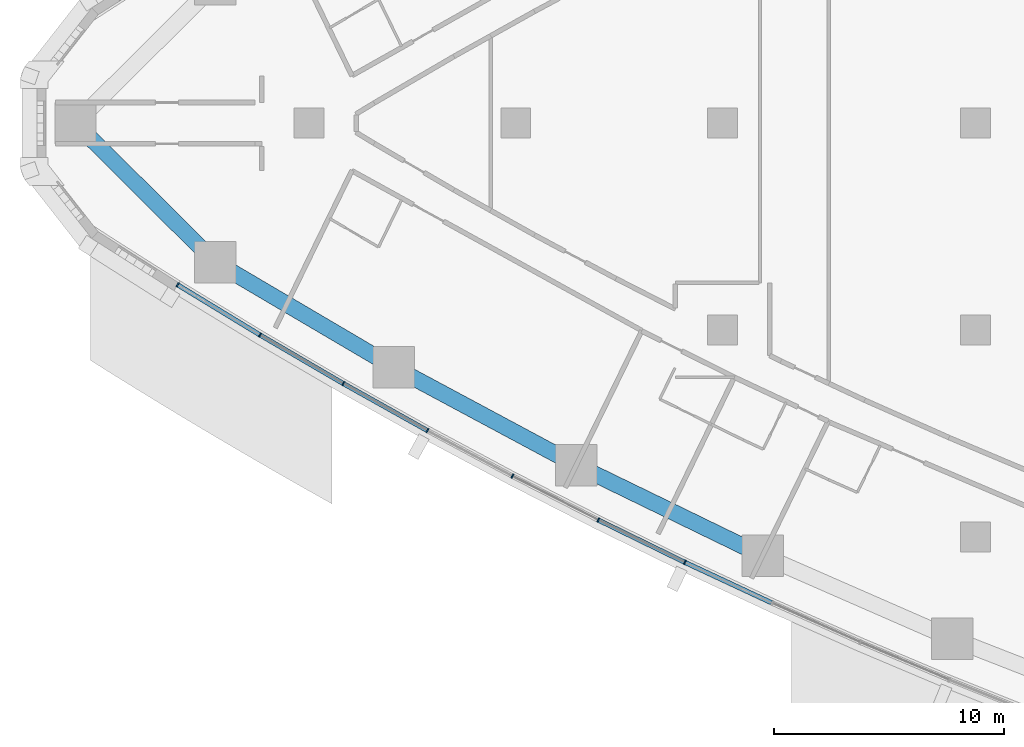
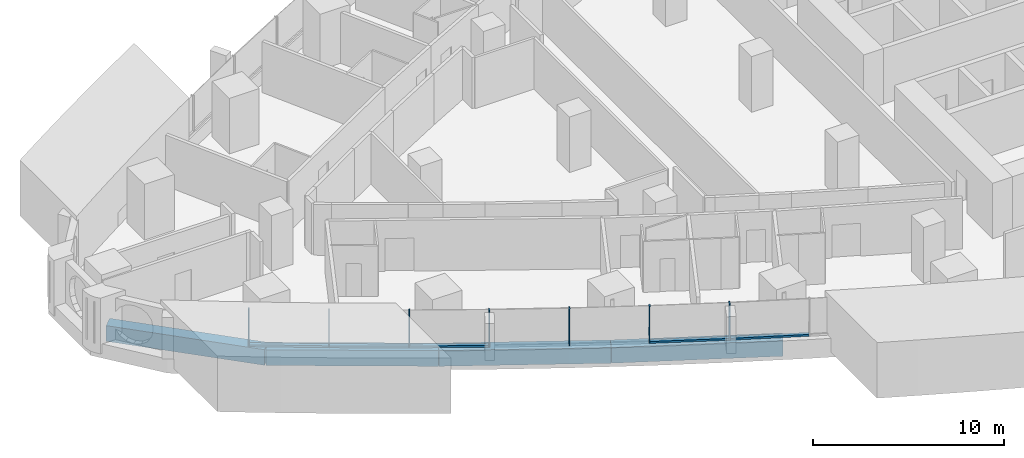
# One storey, part 2 of 19: 12 members, 4 beams, 3 elements without a shape of their own.
"""IFC4 building model written with IfcOpenShell, lengths in metres."""

from ifc_helpers import new_model, si_unit, direction, frame, origin, origin_2d, place, context, subcontext, project, spatial, rectangle, extrude, material, layer, layer_set, material_profile, profile_set, type_object, element, aggregate, save


model = new_model("IFC4")

# Units and contexts
model_context = context("Model", 3, precision=1e-05, world=origin(), true_north=direction((0.0, 1.0)))
body_context = subcontext(model_context, "Body", "Model", "MODEL_VIEW")
ifc_project = project(units=[si_unit("LENGTHUNIT", "METRE"), si_unit("AREAUNIT", "SQUARE_METRE"), si_unit("VOLUMEUNIT", "CUBIC_METRE"), si_unit("PLANEANGLEUNIT", "RADIAN"), si_unit("MASSUNIT", "GRAM", prefix="KILO")], contexts=[model_context])

# Site, building, storey
site_placement = place(None, origin())
site = spatial("IfcSite", under=ifc_project, at=site_placement, CompositionType="ELEMENT")
building_placement = place(site_placement, origin())
building = spatial("IfcBuilding", under=site, at=building_placement, Name="Ostrand Prow Hotel Tower", CompositionType="ELEMENT")
storey_placement = place(building_placement, frame((0.0, 0.0, 39.60009765625)))
storey = spatial("IfcBuildingStorey", under=building, at=storey_placement, Name="L07", CompositionType="ELEMENT", Elevation=39.60009765625)

# Beams
ifc_material_1 = material(Name="Concrete C80/95", Category="concrete")
ifc_material_profile_1 = material_profile(ifc_material_1, rectangle(XDim=0.699951171875, YDim=1.0, at=origin_2d()), Name="RC 700x1000")
ifc_profile_set_1 = profile_set([ifc_material_profile_1], Name="Concrete C80/95")
beam_type = type_object("IfcBeamType", Name="Edge beam 700x1000 C80/95", PredefinedType="SPANDREL", material=ifc_profile_set_1)
beam_1_placement = place(storey_placement, frame((5.848388671875, 0.0, -0.800048828125), z_axis=(0.709211674915, -0.70499560294, 0.0), x_axis=(0.70499560294, 0.709211674915, 0.0)))
element("IfcBeam", 1, at=beam_1_placement, inside=storey, type_object=beam_type, Name="Edge beam P-S1", PredefinedType="SPANDREL", context=body_context, shape_type="SweptSolid", body=[
    extrude(rectangle(XDim=0.699951171875, YDim=1.0, at=origin_2d()), origin(), (0.0, 0.0, 1.0), 8.5703125),
])
beam_2_placement = place(storey_placement, frame((11.926513671875, -6.0419921875, -0.800048828125), z_axis=(0.861725230108, -0.507375233722, 0.0), x_axis=(0.507375233722, 0.861725230108, 0.0)))
element("IfcBeam", 2, at=beam_2_placement, inside=storey, type_object=beam_type, Name="Edge beam S1-S2", PredefinedType="SPANDREL", context=body_context, shape_type="SweptSolid", body=[
    extrude(rectangle(XDim=0.699951171875, YDim=1.0, at=origin_2d()), origin(), (0.0, 0.0, 1.0), 9.012451171875),
])
beam_3_placement = place(storey_placement, frame((19.69287109375, -10.61474609375, -0.800048828125), z_axis=(0.881270074696, -0.472613008122, 0.0), x_axis=(0.472613008122, 0.881270074696, 0.0)))
element("IfcBeam", 3, at=beam_3_placement, inside=storey, type_object=beam_type, Name="Edge beam S2-S3", PredefinedType="SPANDREL", context=body_context, shape_type="SweptSolid", body=[
    extrude(rectangle(XDim=0.699951171875, YDim=1.0, at=origin_2d()), origin(), (0.0, 0.0, 1.0), 9.0126953125),
])
beam_4_placement = place(storey_placement, frame((27.635498046875, -14.874267578125, -0.800048828125), z_axis=(0.899382499202, -0.437162578601, 0.0), x_axis=(0.437162578601, 0.899382499202, 0.0)))
element("IfcBeam", 4, at=beam_4_placement, inside=storey, type_object=beam_type, Name="Edge beam S3-S4", PredefinedType="SPANDREL", context=body_context, shape_type="SweptSolid", body=[
    extrude(rectangle(XDim=0.699951171875, YDim=1.0, at=origin_2d()), origin(), (0.0, 0.0, 1.0), 9.012451171875),
])

# Curtain wall, members
ifc_material_2 = material(Name="Insulated glass in bronze anodised frame", Category="glass")
ifc_layer = layer(ifc_material_2, 0.199951171875)
ifc_layer_set = layer_set([ifc_layer], Name="Insulated glass in bronze anodised frame")
curtain_wall_type = type_object("IfcCurtainWallType", Name="Strip curtain wall, fritted glass over bronze spandrel", PredefinedType="NOTDEFINED", material=ifc_layer_set)
curtain_wall_1_placement = place(storey_placement, origin())
curtain_wall_1 = element("IfcCurtainWall", 5, at=curtain_wall_1_placement, inside=storey, type_object=curtain_wall_type, Name="CW1 run CWS1", PredefinedType="NOTDEFINED")
ifc_material_3 = material(Name="Bronze anodised aluminium", Category="aluminium")
ifc_material_profile_2 = material_profile(ifc_material_3, rectangle(XDim=0.199951171875, YDim=0.06005859375, at=origin_2d()), Name="Mullion 60x200 bronze anodised aluminium")
ifc_profile_set_2 = profile_set([ifc_material_profile_2], Name="Bronze anodised aluminium")
member_type_1 = type_object("IfcMemberType", Name="Mullion 60x200 bronze anodised aluminium", PredefinedType="MULLION", material=ifc_profile_set_2)
member_1_placement = place(storey_placement, frame((10.29443359375, -7.031494140625, 0.89990234375), z_axis=(0.0, 0.0, 1.0), x_axis=(0.519830761515, 0.854269266322, 0.0)))
member_1 = element("IfcMember", 6, at=member_1_placement, type_object=member_type_1, Name="CW1 mullion 1", PredefinedType="MULLION", context=body_context, shape_type="SweptSolid", body=[
    extrude(rectangle(XDim=0.199951171875, YDim=0.06005859375, at=origin_2d()), origin(), (0.0, 0.0, 1.0), 2.35009765625),
])
member_2_placement = place(storey_placement, frame((13.87744140625, -9.2119140625, 0.89990234375), z_axis=(0.0, 0.0, 1.0), x_axis=(0.50402272292, 0.863690392896, 0.0)))
member_2 = element("IfcMember", 7, at=member_2_placement, type_object=member_type_1, Name="CW1 mullion 2", PredefinedType="MULLION", context=body_context, shape_type="SweptSolid", body=[
    extrude(rectangle(XDim=0.199951171875, YDim=0.06005859375, at=origin_2d()), origin(), (0.0, 0.0, 1.0), 2.35009765625),
])
member_3_placement = place(storey_placement, frame((17.5, -11.325927734375, 0.89990234375), z_axis=(0.0, 0.0, 1.0), x_axis=(0.50402272292, 0.863690392896, 0.0)))
member_3 = element("IfcMember", 8, at=member_3_placement, type_object=member_type_1, Name="CW1 mullion 3", PredefinedType="MULLION", context=body_context, shape_type="SweptSolid", body=[
    extrude(rectangle(XDim=0.199951171875, YDim=0.06005859375, at=origin_2d()), origin(), (0.0, 0.0, 1.0), 2.35009765625),
])

curtain_wall_2_placement = place(storey_placement, origin())
curtain_wall_2 = element("IfcCurtainWall", 9, at=curtain_wall_2_placement, inside=storey, type_object=curtain_wall_type, Name="CW1 run CWS2", PredefinedType="NOTDEFINED")
member_4_placement = place(storey_placement, frame((21.160888671875, -13.372802734375, 0.89990234375), z_axis=(0.0, 0.0, 1.0), x_axis=(0.471899992481, 0.881652083929, 0.0)))
member_4 = element("IfcMember", 10, at=member_4_placement, type_object=member_type_1, Name="CW1 mullion 2", PredefinedType="MULLION", context=body_context, shape_type="SweptSolid", body=[
    extrude(rectangle(XDim=0.199951171875, YDim=0.06005859375, at=origin_2d()), origin(), (0.0, 0.0, 1.0), 2.35009765625),
])
member_5_placement = place(storey_placement, frame((24.858642578125, -15.35205078125, 0.89990234375), z_axis=(0.0, 0.0, 1.0), x_axis=(0.455596179055, 0.890186565631, 0.0)))
member_5 = element("IfcMember", 11, at=member_5_placement, type_object=member_type_1, Name="CW1 mullion 3", PredefinedType="MULLION", context=body_context, shape_type="SweptSolid", body=[
    extrude(rectangle(XDim=0.199951171875, YDim=0.06005859375, at=origin_2d()), origin(), (0.0, 0.0, 1.0), 2.35009765625),
])
member_6_placement = place(storey_placement, frame((28.59228515625, -17.262939453125, 0.89990234375), z_axis=(0.0, 0.0, 1.0), x_axis=(0.455596179055, 0.890186565631, 0.0)))
member_6 = element("IfcMember", 12, at=member_6_placement, type_object=member_type_1, Name="CW1 mullion 4", PredefinedType="MULLION", context=body_context, shape_type="SweptSolid", body=[
    extrude(rectangle(XDim=0.199951171875, YDim=0.06005859375, at=origin_2d()), origin(), (0.0, 0.0, 1.0), 2.35009765625),
])

# Curtain wall, member
curtain_wall_3_placement = place(storey_placement, origin())
curtain_wall_3 = element("IfcCurtainWall", 13, at=curtain_wall_3_placement, inside=storey, type_object=curtain_wall_type, Name="CW1 run CWS3", PredefinedType="NOTDEFINED")
member_7_placement = place(storey_placement, frame((32.360595703125, -19.10498046875, 0.89990234375), z_axis=(0.0, 0.0, 1.0), x_axis=(0.422529678615, 0.906349088757, 0.0)))
member_7 = element("IfcMember", 14, at=member_7_placement, type_object=member_type_1, Name="CW1 mullion 2", PredefinedType="MULLION", context=body_context, shape_type="SweptSolid", body=[
    extrude(rectangle(XDim=0.199951171875, YDim=0.06005859375, at=origin_2d()), origin(), (0.0, 0.0, 1.0), 2.35009765625),
])

# Member
ifc_material_4 = material(Name="Bronze anodised aluminium", Category="aluminium")
ifc_material_profile_3 = material_profile(ifc_material_4, rectangle(XDim=0.199951171875, YDim=0.1201171875, at=origin_2d()), Name="Transom 120x200 bronze anodised aluminium")
ifc_profile_set_3 = profile_set([ifc_material_profile_3], Name="Bronze anodised aluminium")
member_type_2 = type_object("IfcMemberType", Name="Transom 120x200 bronze anodised aluminium", PredefinedType="USERDEFINED", material=ifc_profile_set_3)
member_8_placement = place(storey_placement, frame((10.320068359375, -7.047119140625, 0.9599609375), z_axis=(0.8542612678, -0.519843905741, 0.0), x_axis=(0.519843905741, 0.8542612678, 0.0)))
member_8 = element("IfcMember", 15, at=member_8_placement, type_object=member_type_2, Name="CW1 transom 1.1", ObjectType="TRANSOM", PredefinedType="USERDEFINED", context=body_context, shape_type="SweptSolid", body=[
    extrude(rectangle(XDim=0.199951171875, YDim=0.1201171875, at=origin_2d()), origin(), (0.0, 0.0, 1.0), 4.13427734375),
])

member_9_placement = place(storey_placement, frame((13.9033203125, -9.22705078125, 0.9599609375), z_axis=(0.863697501622, -0.504010541251, 0.0), x_axis=(0.504010541251, 0.863697501622, 0.0)))
member_9 = element("IfcMember", 16, at=member_9_placement, type_object=member_type_2, Name="CW1 transom 2.1", ObjectType="TRANSOM", PredefinedType="USERDEFINED", context=body_context, shape_type="SweptSolid", body=[
    extrude(rectangle(XDim=0.199951171875, YDim=0.1201171875, at=origin_2d()), origin(), (0.0, 0.0, 1.0), 4.13427734375),
])

aggregate(curtain_wall_1, [member_1, member_2, member_3, member_8, member_9])

member_10_placement = place(storey_placement, frame((17.526123046875, -11.340576171875, 0.9599609375), z_axis=(0.872842137405, -0.488002667175, 0.0), x_axis=(0.488002667175, 0.872842137405, 0.0)))
member_10 = element("IfcMember", 17, at=member_10_placement, type_object=member_type_2, Name="CW1 transom 1.1", ObjectType="TRANSOM", PredefinedType="USERDEFINED", context=body_context, shape_type="SweptSolid", body=[
    extrude(rectangle(XDim=0.199951171875, YDim=0.1201171875, at=origin_2d()), origin(), (0.0, 0.0, 1.0), 4.13427734375),
])

aggregate(curtain_wall_2, [member_4, member_5, member_6, member_10])

member_11_placement = place(storey_placement, frame((28.619384765625, -17.276123046875, 0.9599609375), z_axis=(0.898395234758, -0.439187889364, 0.0), x_axis=(0.439187889364, 0.898395234758, 0.0)))
member_11 = element("IfcMember", 18, at=member_11_placement, type_object=member_type_2, Name="CW1 transom 1.1", ObjectType="TRANSOM", PredefinedType="USERDEFINED", context=body_context, shape_type="SweptSolid", body=[
    extrude(rectangle(XDim=0.199951171875, YDim=0.1201171875, at=origin_2d()), origin(), (0.0, 0.0, 1.0), 4.13427734375),
])

member_12_placement = place(storey_placement, frame((32.3876953125, -19.117431640625, 0.9599609375), z_axis=(0.906338458793, -0.422552479714, 0.0), x_axis=(0.422552479714, 0.906338458793, 0.0)))
member_12 = element("IfcMember", 19, at=member_12_placement, type_object=member_type_2, Name="CW1 transom 2.1", ObjectType="TRANSOM", PredefinedType="USERDEFINED", context=body_context, shape_type="SweptSolid", body=[
    extrude(rectangle(XDim=0.199951171875, YDim=0.1201171875, at=origin_2d()), origin(), (0.0, 0.0, 1.0), 4.134521484375),
])

aggregate(curtain_wall_3, [member_7, member_11, member_12])

save(model, "model.ifc")
